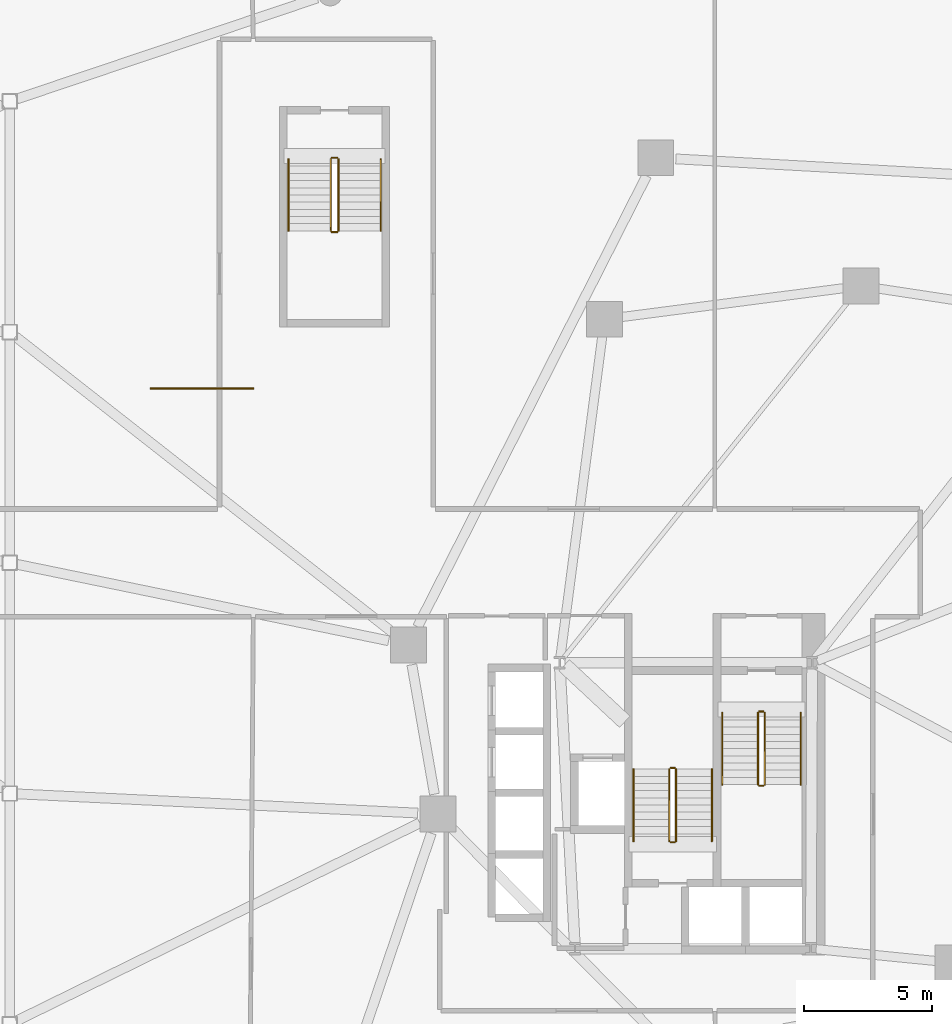
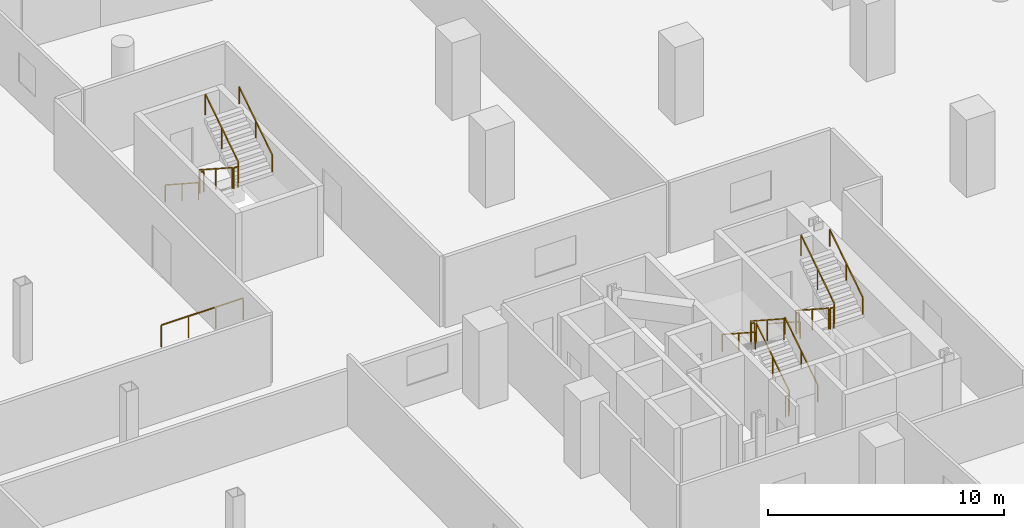
# One storey, part 18 of 18: 19 railings.
"""IFC4 building model written with IfcOpenShell, lengths in metres."""

import ifcopenshell
import ifcopenshell.guid

model = None  # the IFC model being written
_history = None  # IfcOwnerHistory: only IFC2X3 demands one
_inside = {}  # id of a spatial element -> (the spatial element, [elements in it])
_under = {}  # id of a project, library or spatial element -> (it, [spatial elements below it])
_declared = {}  # id of a project -> (the project, [libraries it declares])
_typed = {}  # id of a type object -> (the type object, [elements of that type])
_made_of = {}  # id of a material, layer set ... -> (it, [elements and type objects made of it])


def new_model(schema):
    """Start an empty IFC model of exactly this schema.

    Asked for "IFC4X3", IfcOpenShell would pick the latest addendum, in which some entities
    have other attributes; the version numbers below select the first issue.
    IFC2X3 requires an IfcOwnerHistory on every rooted entity: one is made here for all.
    """
    global model, _history
    if schema == "IFC4X3":
        model = ifcopenshell.file(schema_version=(4, 3, 0, 0))
    else:
        model = ifcopenshell.file(schema=schema)
    _inside.clear()
    _under.clear()
    _declared.clear()
    _typed.clear()
    _made_of.clear()
    _history = None
    if model.schema == "IFC2X3":
        org = make("IfcOrganization", Name="unknown")
        user = make(
            "IfcPersonAndOrganization",
            ThePerson=make("IfcPerson", FamilyName="unknown"),
            TheOrganization=org,
        )
        app = make(
            "IfcApplication",
            ApplicationDeveloper=org,
            Version="unknown",
            ApplicationFullName="unknown",
            ApplicationIdentifier="unknown",
        )
        _history = make(
            "IfcOwnerHistory",
            OwningUser=user,
            OwningApplication=app,
            ChangeAction="ADDED",
            CreationDate=0,
        )
    return model


def make(cls, **values):
    """One entity of the class cls with the attributes given. An attribute that is None is left unset."""
    return model.create_entity(
        cls, **{name: value for name, value in values.items() if value is not None}
    )


def rooted(cls, **values):
    """An entity with a GlobalId (a new one), such as an element, a storey or a relation."""
    return make(cls, GlobalId=ifcopenshell.guid.new(), OwnerHistory=_history, **values)


def si_unit(unit_type, name, prefix=None):
    """IfcSIUnit, for example si_unit("LENGTHUNIT", "METRE", prefix="MILLI")."""
    return make("IfcSIUnit", UnitType=unit_type, Prefix=prefix, Name=name)


def assignment(units):
    """IfcUnitAssignment: the units of a project."""
    return None if units is None else make("IfcUnitAssignment", Units=units)


def point(xyz):
    """IfcCartesianPoint."""
    return None if xyz is None else make("IfcCartesianPoint", Coordinates=xyz)


def direction(xyz):
    """IfcDirection."""
    return None if xyz is None else make("IfcDirection", DirectionRatios=xyz)


def frame(location, z_axis=None, x_axis=None):
    """IfcAxis2Placement3D, a coordinate frame: its origin and axes. An axis left out is left unset."""
    return make(
        "IfcAxis2Placement3D",
        Location=point(location),
        Axis=direction(z_axis),
        RefDirection=direction(x_axis),
    )


def frame_2d(location, x_axis=None):
    """IfcAxis2Placement2D, a coordinate frame in the plane: its origin and x axis."""
    return make(
        "IfcAxis2Placement2D", Location=point(location), RefDirection=direction(x_axis)
    )


def origin():
    """The frame at (0, 0, 0) with its axes left unset."""
    return frame((0.0, 0.0, 0.0))


def origin_2d():
    """The frame at (0, 0) in the plane with its x axis left unset."""
    return frame_2d((0.0, 0.0))


def place(relative_to, where):
    """IfcLocalPlacement: puts the frame where relative to a parent placement (None: the world)."""
    return make(
        "IfcLocalPlacement", PlacementRelTo=relative_to, RelativePlacement=where
    )


def context(
    kind, dimensions, precision=None, world=None, true_north=None, identifier=None
):
    """IfcGeometricRepresentationContext, for example the 3D "Model" context."""
    return make(
        "IfcGeometricRepresentationContext",
        ContextIdentifier=identifier,
        ContextType=kind,
        CoordinateSpaceDimension=dimensions,
        Precision=precision,
        WorldCoordinateSystem=world,
        TrueNorth=true_north,
    )


def subcontext(parent, identifier, kind, view, scale=None):
    """IfcGeometricRepresentationSubContext, for example "Body" below "Model"."""
    return make(
        "IfcGeometricRepresentationSubContext",
        ContextIdentifier=identifier,
        ContextType=kind,
        ParentContext=parent,
        TargetScale=scale,
        TargetView=view,
    )


def project(units=None, contexts=None):
    """IfcProject with its units and contexts."""
    return rooted(
        "IfcProject",
        Name="project",
        RepresentationContexts=contexts,
        UnitsInContext=assignment(units),
    )


def spatial(cls, under=None, at=None, **own):
    """A site, building, storey or space (cls), placed at a placement, below another one or the project."""
    s = rooted(cls, ObjectPlacement=at, **own)
    if under is not None:
        _under.setdefault(under.id(), (under, []))[1].append(s)
    return s


def profile(cls, at=None, kind="AREA", **sizes):
    """A parametric profile (cls). Its sizes go by their IFC names, for example OverallWidth=200.0."""
    return make(cls, ProfileType=kind, Position=at, **sizes)


def rectangle(**sizes):
    """IfcRectangleProfileDef."""
    return profile("IfcRectangleProfileDef", **sizes)


def extrude(swept, where, along, depth):
    """IfcExtrudedAreaSolid: the profile swept, set in the frame where, extruded along a direction by depth."""
    return make(
        "IfcExtrudedAreaSolid",
        SweptArea=swept,
        Position=where,
        ExtrudedDirection=direction(along),
        Depth=depth,
    )


def shape(context_of_items, identifier, shape_type, items):
    """IfcShapeRepresentation: the items that make up one representation, for example the "Body"."""
    return make(
        "IfcShapeRepresentation",
        ContextOfItems=context_of_items,
        RepresentationIdentifier=identifier,
        RepresentationType=shape_type,
        Items=items,
    )


def material(Name=None, Category=None):
    """IfcMaterial."""
    return make("IfcMaterial", Name=Name, Category=Category)


def made_of(thing, what):
    """Note that an element or type object is made of a material, layer set ...; save() writes the relation."""
    if what is not None:
        _made_of.setdefault(what.id(), (what, []))[1].append(thing)
    return thing


def type_object(cls, material=None, **own):
    """A type object (cls), such as IfcWallType, which elements share."""
    return made_of(rooted(cls, **own), material)


def element(
    cls,
    number,
    at=None,
    inside=None,
    cuts=None,
    type_object=None,
    material=None,
    context=None,
    identifier="Body",
    shape_type=None,
    held_by="IfcProductDefinitionShape",
    body=None,
    shapes=None,
    **own,
):
    """One element of the class cls, such as IfcWall. Its Tag is "e" and its number.

    at: its placement. inside: the storey or other place that contains it. cuts: it is an
    opening in that element (IfcRelVoidsElement). A single representation is given by context,
    identifier, shape_type and body (its items); several are given by shapes. held_by: the class
    of the entity that holds the representations. save() writes the other relations.
    """
    e = rooted(cls, Tag="e%d" % number, ObjectPlacement=at, **own)
    if body is not None:
        shapes = [shape(context, identifier, shape_type, body)]
    if shapes is not None:
        e.Representation = make(held_by, Representations=shapes)
    if inside is not None:
        _inside.setdefault(inside.id(), (inside, []))[1].append(e)
    if cuts is not None:
        rooted(
            "IfcRelVoidsElement", RelatingBuildingElement=cuts, RelatedOpeningElement=e
        )
    if type_object is not None:
        _typed.setdefault(type_object.id(), (type_object, []))[1].append(e)
    return made_of(e, material)


def aggregate(whole, parts):
    """IfcRelAggregates: a whole, such as a stair, and the parts it consists of."""
    return rooted("IfcRelAggregates", RelatingObject=whole, RelatedObjects=parts)


def save(model, path):
    """Write the relations noted so far, then the file.

    IfcRelAggregates (storeys below a building ...), IfcRelContainedInSpatialStructure (elements
    in a storey), IfcRelDefinesByType, IfcRelAssociatesMaterial and IfcRelDeclares: one each for
    every whole, place, type object, material and project.
    """
    for whole, parts in _under.values():
        aggregate(whole, parts)
    for where, things in _inside.values():
        rooted(
            "IfcRelContainedInSpatialStructure",
            RelatedElements=things,
            RelatingStructure=where,
        )
    for kind, things in _typed.values():
        rooted("IfcRelDefinesByType", RelatedObjects=things, RelatingType=kind)
    for what, things in _made_of.values():
        rooted("IfcRelAssociatesMaterial", RelatedObjects=things, RelatingMaterial=what)
    for by, libraries in _declared.values():
        rooted("IfcRelDeclares", RelatingContext=by, RelatedDefinitions=libraries)
    model.write(path)


model = new_model("IFC4")

# Units and contexts
model_context = context("Model", 3, precision=1e-05, world=origin(), true_north=direction((0.0, 1.0)))
body_context = subcontext(model_context, "Body", "Model", "MODEL_VIEW")
ifc_project = project(units=[si_unit("LENGTHUNIT", "METRE"), si_unit("AREAUNIT", "SQUARE_METRE"), si_unit("VOLUMEUNIT", "CUBIC_METRE"), si_unit("PLANEANGLEUNIT", "RADIAN"), si_unit("MASSUNIT", "GRAM", prefix="KILO"), si_unit("THERMODYNAMICTEMPERATUREUNIT", "KELVIN"), si_unit("POWERUNIT", "WATT")], contexts=[model_context])

# Site, building, storey
site_placement = place(None, origin())
site = spatial("IfcSite", under=ifc_project, at=site_placement, CompositionType="ELEMENT")
building_placement = place(site_placement, origin())
building = spatial("IfcBuilding", under=site, at=building_placement, Name="Cundina Bronze Exchange", CompositionType="ELEMENT")
storey_placement = place(building_placement, frame((0.0, 0.0, 12.0)))
storey = spatial("IfcBuildingStorey", under=building, at=storey_placement, Name="L02", CompositionType="ELEMENT", Elevation=12.0)

# Railings
ifc_material_1 = material(Name="Heat-Strengthened Solar-Control Bronze Safety Glass 28mm", Category="glass")
railing_type_1 = type_object("IfcRailingType", Name="RLG-BAL-1150", PredefinedType="BALUSTRADE", material=ifc_material_1)
railing_1_placement = place(storey_placement, frame((5.5, 6.800048828125, 0.0)))
element("IfcRailing", 1, at=railing_1_placement, inside=storey, type_object=railing_type_1, Name="L02 Concourse Gallery Balustrade 2", PredefinedType="BALUSTRADE", context=body_context, shape_type="SweptSolid", body=[
    extrude(rectangle(XDim=0.048095703125, YDim=0.048095703125, at=origin_2d()), frame((0.0, 0.0, 1.1259765625), z_axis=(1.0, 0.0, 0.0), x_axis=(0.0, 1.0, 0.0)), (0.0, 0.0, 1.0), 4.0),
    extrude(rectangle(XDim=0.0419921875, YDim=0.0419921875, at=origin_2d()), origin(), (0.0, 0.0, 1.0), 1.101806640625),
    extrude(rectangle(XDim=0.0419921875, YDim=0.0419921875, at=origin_2d()), frame((1.333251953125, 0.0, 0.0)), (0.0, 0.0, 1.0), 1.101806640625),
    extrude(rectangle(XDim=0.0419921875, YDim=0.0419921875, at=origin_2d()), frame((2.666748046875, 0.0, 0.0)), (0.0, 0.0, 1.0), 1.101806640625),
    extrude(rectangle(XDim=0.0419921875, YDim=0.0419921875, at=origin_2d()), frame((4.0, 0.0, 0.0)), (0.0, 0.0, 1.0), 1.101806640625),
])
ifc_material_2 = material(Name="Steel ASTM A36 Painted", Category="steel")
railing_type_2 = type_object("IfcRailingType", Name="RLG-HND-900", PredefinedType="HANDRAIL", material=ifc_material_2)
railing_2_placement = place(storey_placement, frame((27.7900390625, -5.85009765625, 0.181884765625)))
element("IfcRailing", 2, at=railing_2_placement, inside=storey, type_object=railing_type_2, Name="L02 ST-E1 stair handrail 1", PredefinedType="HANDRAIL", context=body_context, shape_type="SweptSolid", body=[
    extrude(rectangle(XDim=0.048095703125, YDim=0.048095703125, at=origin_2d()), frame((0.0, 0.0, 0.8759765625), z_axis=(0.0, -0.83868413941, 0.544618136222), x_axis=(1.0, 0.0, 0.0)), (0.0, 0.0, 1.0), 3.33837890625),
    extrude(rectangle(XDim=0.0419921875, YDim=0.0419921875, at=origin_2d()), origin(), (0.0, 0.0, 1.0), 0.851806640625),
    extrude(rectangle(XDim=0.0419921875, YDim=0.0419921875, at=origin_2d()), frame((0.0, -1.39990234375, 0.9091796875)), (0.0, 0.0, 1.0), 0.851806640625),
    extrude(rectangle(XDim=0.0419921875, YDim=0.0419921875, at=origin_2d()), frame((0.0, -2.7998046875, 1.818115234375)), (0.0, 0.0, 1.0), 0.851806640625),
])
railing_3_placement = place(storey_placement, frame((30.85009765625, -8.64990234375, 2.181884765625)))
element("IfcRailing", 3, at=railing_3_placement, inside=storey, type_object=railing_type_2, Name="L02 ST-E1 stair handrail 2", PredefinedType="HANDRAIL", context=body_context, shape_type="SweptSolid", body=[
    extrude(rectangle(XDim=0.048095703125, YDim=0.048095703125, at=origin_2d()), frame((0.0, 0.0, 0.8759765625), z_axis=(0.0, 0.83868413941, 0.544618136222), x_axis=(-1.0, 0.0, 0.0)), (0.0, 0.0, 1.0), 3.33837890625),
    extrude(rectangle(XDim=0.0419921875, YDim=0.0419921875, at=origin_2d()), origin(), (0.0, 0.0, 1.0), 0.851806640625),
    extrude(rectangle(XDim=0.0419921875, YDim=0.0419921875, at=origin_2d()), frame((0.0, 1.39990234375, 0.9091796875)), (0.0, 0.0, 1.0), 0.851806640625),
    extrude(rectangle(XDim=0.0419921875, YDim=0.0419921875, at=origin_2d()), frame((0.0, 2.7998046875, 1.818115234375)), (0.0, 0.0, 1.0), 0.851806640625),
])
railing_4_placement = place(storey_placement, frame((27.389892578125, -10.85009765625, 0.181884765625)))
element("IfcRailing", 4, at=railing_4_placement, inside=storey, type_object=railing_type_2, Name="L02 ST-E2 stair handrail 1", PredefinedType="HANDRAIL", context=body_context, shape_type="SweptSolid", body=[
    extrude(rectangle(XDim=0.048095703125, YDim=0.048095703125, at=origin_2d()), frame((0.0, 0.0, 0.8759765625), z_axis=(0.0, 0.838705829183, 0.544584733623), x_axis=(-1.0, 0.0, 0.0)), (0.0, 0.0, 1.0), 3.338623046875),
    extrude(rectangle(XDim=0.0419921875, YDim=0.0419921875, at=origin_2d()), origin(), (0.0, 0.0, 1.0), 0.851806640625),
    extrude(rectangle(XDim=0.0419921875, YDim=0.0419921875, at=origin_2d()), frame((0.0, 1.39990234375, 0.9091796875)), (0.0, 0.0, 1.0), 0.851806640625),
    extrude(rectangle(XDim=0.0419921875, YDim=0.0419921875, at=origin_2d()), frame((0.0, 2.800048828125, 1.818115234375)), (0.0, 0.0, 1.0), 0.851806640625),
])
for number, where, name in (
    (5, (24.330078125, -8.050048828125, 2.181884765625), "L02 ST-E2 stair handrail 2"),
    (6, (10.8701171875, 15.75, 0.181884765625), "L02 ST-PE stair handrail 1"),
):
    element("IfcRailing", number, at=place(storey_placement, frame(where)), inside=storey, type_object=railing_type_2, Name=name, PredefinedType="HANDRAIL", context=body_context, shape_type="SweptSolid", body=[
        extrude(rectangle(XDim=0.048095703125, YDim=0.048095703125, at=origin_2d()), frame((0.0, 0.0, 0.8759765625), z_axis=(0.0, -0.838705829183, 0.544584733623), x_axis=(1.0, 0.0, 0.0)), (0.0, 0.0, 1.0), 3.338623046875),
        extrude(rectangle(XDim=0.0419921875, YDim=0.0419921875, at=origin_2d()), origin(), (0.0, 0.0, 1.0), 0.851806640625),
        extrude(rectangle(XDim=0.0419921875, YDim=0.0419921875, at=origin_2d()), frame((0.0, -1.39990234375, 0.9091796875)), (0.0, 0.0, 1.0), 0.851806640625),
        extrude(rectangle(XDim=0.0419921875, YDim=0.0419921875, at=origin_2d()), frame((0.0, -2.800048828125, 1.818115234375)), (0.0, 0.0, 1.0), 0.851806640625),
    ])
railing_5_placement = place(storey_placement, frame((14.469970703125, 12.949951171875, 2.181884765625)))
element("IfcRailing", 7, at=railing_5_placement, inside=storey, type_object=railing_type_2, Name="L02 ST-PE stair handrail 2", PredefinedType="HANDRAIL", context=body_context, shape_type="SweptSolid", body=[
    extrude(rectangle(XDim=0.048095703125, YDim=0.048095703125, at=origin_2d()), frame((0.0, 0.0, 0.8759765625), z_axis=(0.0, 0.838705829183, 0.544584733623), x_axis=(-1.0, 0.0, 0.0)), (0.0, 0.0, 1.0), 3.338623046875),
    extrude(rectangle(XDim=0.0419921875, YDim=0.0419921875, at=origin_2d()), origin(), (0.0, 0.0, 1.0), 0.851806640625),
    extrude(rectangle(XDim=0.0419921875, YDim=0.0419921875, at=origin_2d()), frame((0.0, 1.39990234375, 0.9091796875)), (0.0, 0.0, 1.0), 0.851806640625),
    extrude(rectangle(XDim=0.0419921875, YDim=0.0419921875, at=origin_2d()), frame((0.0, 2.800048828125, 1.818115234375)), (0.0, 0.0, 1.0), 0.851806640625),
])
railing_type_3 = type_object("IfcRailingType", Name="RLG-STG-1100", PredefinedType="GUARDRAIL", material=ifc_material_2)
railing_6_placement = place(storey_placement, frame((29.18994140625, -5.85009765625, 0.181884765625)))
element("IfcRailing", 8, at=railing_6_placement, inside=storey, type_object=railing_type_3, Name="L02 ST-E1 stair guard 1", PredefinedType="GUARDRAIL", context=body_context, shape_type="SweptSolid", body=[
    extrude(rectangle(XDim=0.048095703125, YDim=0.048095703125, at=origin_2d()), frame((0.0, 0.0, 1.076171875), z_axis=(0.0, -0.83868413941, 0.544618136222), x_axis=(1.0, 0.0, 0.0)), (0.0, 0.0, 1.0), 3.33837890625),
    extrude(rectangle(XDim=0.0419921875, YDim=0.0419921875, at=origin_2d()), origin(), (0.0, 0.0, 1.0), 1.052001953125),
    extrude(rectangle(XDim=0.0419921875, YDim=0.0419921875, at=origin_2d()), frame((0.0, -1.39990234375, 0.9091796875)), (0.0, 0.0, 1.0), 1.052001953125),
    extrude(rectangle(XDim=0.0419921875, YDim=0.0419921875, at=origin_2d()), frame((0.0, -2.7998046875, 1.818115234375)), (0.0, 0.0, 1.0), 1.052001953125),
])
railing_7_placement = place(storey_placement, frame((29.239990234375, -8.699951171875, 2.0)))
element("IfcRailing", 9, at=railing_7_placement, inside=storey, type_object=railing_type_3, Name="L02 ST-E1 stair guard 2", PredefinedType="GUARDRAIL", context=body_context, shape_type="SweptSolid", body=[
    extrude(rectangle(XDim=0.048095703125, YDim=0.048095703125, at=origin_2d()), frame((0.0, 0.0, 1.076171875), z_axis=(1.0, 0.0, 0.0), x_axis=(0.0, 1.0, 0.0)), (0.0, 0.0, 1.0), 0.159912109375),
    extrude(rectangle(XDim=0.0419921875, YDim=0.0419921875, at=origin_2d()), origin(), (0.0, 0.0, 1.0), 1.052001953125),
    extrude(rectangle(XDim=0.0419921875, YDim=0.0419921875, at=origin_2d()), frame((0.159912109375, 0.0, 0.0)), (0.0, 0.0, 1.0), 1.052001953125),
])
railing_8_placement = place(storey_placement, frame((29.449951171875, -8.64990234375, 2.181884765625)))
element("IfcRailing", 10, at=railing_8_placement, inside=storey, type_object=railing_type_3, Name="L02 ST-E1 stair guard 3", PredefinedType="GUARDRAIL", context=body_context, shape_type="SweptSolid", body=[
    extrude(rectangle(XDim=0.048095703125, YDim=0.048095703125, at=origin_2d()), frame((0.0, 0.0, 1.076171875), z_axis=(0.0, 0.83868413941, 0.544618136222), x_axis=(-1.0, 0.0, 0.0)), (0.0, 0.0, 1.0), 3.33837890625),
    extrude(rectangle(XDim=0.0419921875, YDim=0.0419921875, at=origin_2d()), origin(), (0.0, 0.0, 1.0), 1.052001953125),
    extrude(rectangle(XDim=0.0419921875, YDim=0.0419921875, at=origin_2d()), frame((0.0, 1.39990234375, 0.9091796875)), (0.0, 0.0, 1.0), 1.052001953125),
    extrude(rectangle(XDim=0.0419921875, YDim=0.0419921875, at=origin_2d()), frame((0.0, 2.7998046875, 1.818115234375)), (0.0, 0.0, 1.0), 1.052001953125),
])
railing_9_placement = place(storey_placement, frame((29.239990234375, -5.800048828125, 0.0)))
element("IfcRailing", 11, at=railing_9_placement, inside=storey, type_object=railing_type_3, Name="L02 ST-E1 stair guard 4", PredefinedType="GUARDRAIL", context=body_context, shape_type="SweptSolid", body=[
    extrude(rectangle(XDim=0.048095703125, YDim=0.048095703125, at=origin_2d()), frame((0.0, 0.0, 1.076171875), z_axis=(1.0, 0.0, 0.0), x_axis=(0.0, 1.0, 0.0)), (0.0, 0.0, 1.0), 0.159912109375),
    extrude(rectangle(XDim=0.0419921875, YDim=0.0419921875, at=origin_2d()), origin(), (0.0, 0.0, 1.0), 1.052001953125),
    extrude(rectangle(XDim=0.0419921875, YDim=0.0419921875, at=origin_2d()), frame((0.159912109375, 0.0, 0.0)), (0.0, 0.0, 1.0), 1.052001953125),
])
railing_10_placement = place(storey_placement, frame((25.989990234375, -10.85009765625, 0.181884765625)))
element("IfcRailing", 12, at=railing_10_placement, inside=storey, type_object=railing_type_3, Name="L02 ST-E2 stair guard 1", PredefinedType="GUARDRAIL", context=body_context, shape_type="SweptSolid", body=[
    extrude(rectangle(XDim=0.048095703125, YDim=0.048095703125, at=origin_2d()), frame((0.0, 0.0, 1.076171875), z_axis=(0.0, 0.838705829183, 0.544584733623), x_axis=(-1.0, 0.0, 0.0)), (0.0, 0.0, 1.0), 3.338623046875),
    extrude(rectangle(XDim=0.0419921875, YDim=0.0419921875, at=origin_2d()), origin(), (0.0, 0.0, 1.0), 1.052001953125),
    extrude(rectangle(XDim=0.0419921875, YDim=0.0419921875, at=origin_2d()), frame((0.0, 1.39990234375, 0.9091796875)), (0.0, 0.0, 1.0), 1.052001953125),
    extrude(rectangle(XDim=0.0419921875, YDim=0.0419921875, at=origin_2d()), frame((0.0, 2.800048828125, 1.818115234375)), (0.0, 0.0, 1.0), 1.052001953125),
])
railing_11_placement = place(storey_placement, frame((25.93994140625, -8.0, 2.0)))
element("IfcRailing", 13, at=railing_11_placement, inside=storey, type_object=railing_type_3, Name="L02 ST-E2 stair guard 2", PredefinedType="GUARDRAIL", context=body_context, shape_type="SweptSolid", body=[
    extrude(rectangle(XDim=0.048095703125, YDim=0.048095703125, at=origin_2d()), frame((0.0, 0.0, 1.076171875), z_axis=(-1.0, 0.0, 0.0), x_axis=(0.0, -1.0, 0.0)), (0.0, 0.0, 1.0), 0.159912109375),
    extrude(rectangle(XDim=0.0419921875, YDim=0.0419921875, at=origin_2d()), origin(), (0.0, 0.0, 1.0), 1.052001953125),
    extrude(rectangle(XDim=0.0419921875, YDim=0.0419921875, at=origin_2d()), frame((-0.159912109375, 0.0, 0.0)), (0.0, 0.0, 1.0), 1.052001953125),
])
railing_12_placement = place(storey_placement, frame((25.72998046875, -8.050048828125, 2.181884765625)))
element("IfcRailing", 14, at=railing_12_placement, inside=storey, type_object=railing_type_3, Name="L02 ST-E2 stair guard 3", PredefinedType="GUARDRAIL", context=body_context, shape_type="SweptSolid", body=[
    extrude(rectangle(XDim=0.048095703125, YDim=0.048095703125, at=origin_2d()), frame((0.0, 0.0, 1.076171875), z_axis=(0.0, -0.838705829183, 0.544584733623), x_axis=(1.0, 0.0, 0.0)), (0.0, 0.0, 1.0), 3.338623046875),
    extrude(rectangle(XDim=0.0419921875, YDim=0.0419921875, at=origin_2d()), origin(), (0.0, 0.0, 1.0), 1.052001953125),
    extrude(rectangle(XDim=0.0419921875, YDim=0.0419921875, at=origin_2d()), frame((0.0, -1.39990234375, 0.9091796875)), (0.0, 0.0, 1.0), 1.052001953125),
    extrude(rectangle(XDim=0.0419921875, YDim=0.0419921875, at=origin_2d()), frame((0.0, -2.800048828125, 1.818115234375)), (0.0, 0.0, 1.0), 1.052001953125),
])
railing_13_placement = place(storey_placement, frame((25.93994140625, -10.89990234375, 0.0)))
element("IfcRailing", 15, at=railing_13_placement, inside=storey, type_object=railing_type_3, Name="L02 ST-E2 stair guard 4", PredefinedType="GUARDRAIL", context=body_context, shape_type="SweptSolid", body=[
    extrude(rectangle(XDim=0.048095703125, YDim=0.048095703125, at=origin_2d()), frame((0.0, 0.0, 1.076171875), z_axis=(-1.0, 0.0, 0.0), x_axis=(0.0, -1.0, 0.0)), (0.0, 0.0, 1.0), 0.159912109375),
    extrude(rectangle(XDim=0.0419921875, YDim=0.0419921875, at=origin_2d()), origin(), (0.0, 0.0, 1.0), 1.052001953125),
    extrude(rectangle(XDim=0.0419921875, YDim=0.0419921875, at=origin_2d()), frame((-0.159912109375, 0.0, 0.0)), (0.0, 0.0, 1.0), 1.052001953125),
])
railing_14_placement = place(storey_placement, frame((12.52001953125, 15.75, 0.181884765625)))
element("IfcRailing", 16, at=railing_14_placement, inside=storey, type_object=railing_type_3, Name="L02 ST-PE stair guard 1", PredefinedType="GUARDRAIL", context=body_context, shape_type="SweptSolid", body=[
    extrude(rectangle(XDim=0.048095703125, YDim=0.048095703125, at=origin_2d()), frame((0.0, 0.0, 1.076171875), z_axis=(0.0, -0.838705829183, 0.544584733623), x_axis=(1.0, 0.0, 0.0)), (0.0, 0.0, 1.0), 3.338623046875),
    extrude(rectangle(XDim=0.0419921875, YDim=0.0419921875, at=origin_2d()), origin(), (0.0, 0.0, 1.0), 1.052001953125),
    extrude(rectangle(XDim=0.0419921875, YDim=0.0419921875, at=origin_2d()), frame((0.0, -1.39990234375, 0.9091796875)), (0.0, 0.0, 1.0), 1.052001953125),
    extrude(rectangle(XDim=0.0419921875, YDim=0.0419921875, at=origin_2d()), frame((0.0, -2.800048828125, 1.818115234375)), (0.0, 0.0, 1.0), 1.052001953125),
])
railing_15_placement = place(storey_placement, frame((12.570068359375, 12.89990234375, 2.0)))
element("IfcRailing", 17, at=railing_15_placement, inside=storey, type_object=railing_type_3, Name="L02 ST-PE stair guard 2", PredefinedType="GUARDRAIL", context=body_context, shape_type="SweptSolid", body=[
    extrude(rectangle(XDim=0.048095703125, YDim=0.048095703125, at=origin_2d()), frame((0.0, 0.0, 1.076171875), z_axis=(1.0, 0.0, 0.0), x_axis=(0.0, 1.0, 0.0)), (0.0, 0.0, 1.0), 0.199951171875),
    extrude(rectangle(XDim=0.0419921875, YDim=0.0419921875, at=origin_2d()), origin(), (0.0, 0.0, 1.0), 1.052001953125),
    extrude(rectangle(XDim=0.0419921875, YDim=0.0419921875, at=origin_2d()), frame((0.199951171875, 0.0, 0.0)), (0.0, 0.0, 1.0), 1.052001953125),
])
railing_16_placement = place(storey_placement, frame((12.820068359375, 12.949951171875, 2.181884765625)))
element("IfcRailing", 18, at=railing_16_placement, inside=storey, type_object=railing_type_3, Name="L02 ST-PE stair guard 3", PredefinedType="GUARDRAIL", context=body_context, shape_type="SweptSolid", body=[
    extrude(rectangle(XDim=0.048095703125, YDim=0.048095703125, at=origin_2d()), frame((0.0, 0.0, 1.076171875), z_axis=(0.0, 0.838705829183, 0.544584733623), x_axis=(-1.0, 0.0, 0.0)), (0.0, 0.0, 1.0), 3.338623046875),
    extrude(rectangle(XDim=0.0419921875, YDim=0.0419921875, at=origin_2d()), origin(), (0.0, 0.0, 1.0), 1.052001953125),
    extrude(rectangle(XDim=0.0419921875, YDim=0.0419921875, at=origin_2d()), frame((0.0, 1.39990234375, 0.9091796875)), (0.0, 0.0, 1.0), 1.052001953125),
    extrude(rectangle(XDim=0.0419921875, YDim=0.0419921875, at=origin_2d()), frame((0.0, 2.800048828125, 1.818115234375)), (0.0, 0.0, 1.0), 1.052001953125),
])
railing_17_placement = place(storey_placement, frame((12.570068359375, 15.800048828125, 0.0)))
element("IfcRailing", 19, at=railing_17_placement, inside=storey, type_object=railing_type_3, Name="L02 ST-PE stair guard 4", PredefinedType="GUARDRAIL", context=body_context, shape_type="SweptSolid", body=[
    extrude(rectangle(XDim=0.048095703125, YDim=0.048095703125, at=origin_2d()), frame((0.0, 0.0, 1.076171875), z_axis=(1.0, 0.0, 0.0), x_axis=(0.0, 1.0, 0.0)), (0.0, 0.0, 1.0), 0.199951171875),
    extrude(rectangle(XDim=0.0419921875, YDim=0.0419921875, at=origin_2d()), origin(), (0.0, 0.0, 1.0), 1.052001953125),
    extrude(rectangle(XDim=0.0419921875, YDim=0.0419921875, at=origin_2d()), frame((0.199951171875, 0.0, 0.0)), (0.0, 0.0, 1.0), 1.052001953125),
])

save(model, "model.ifc")
